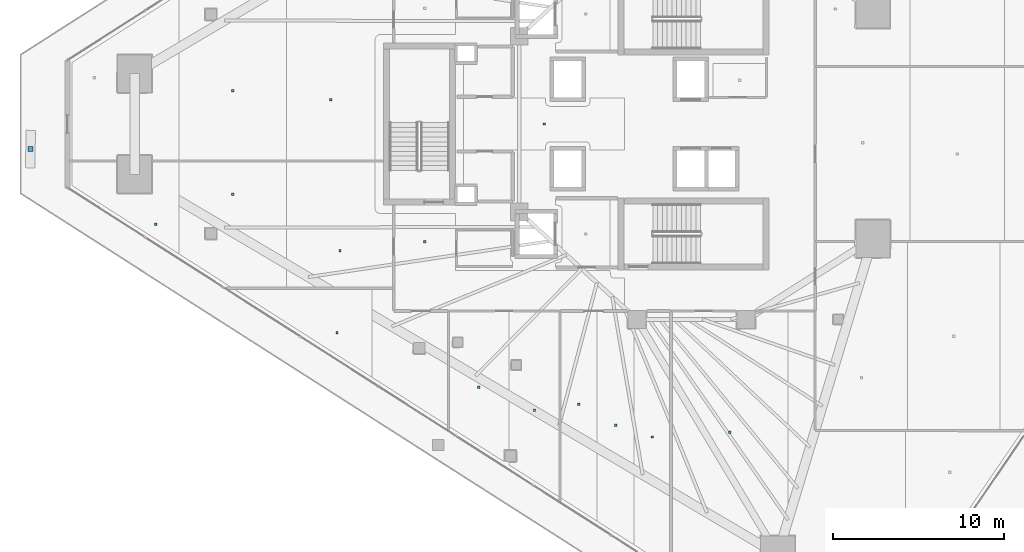
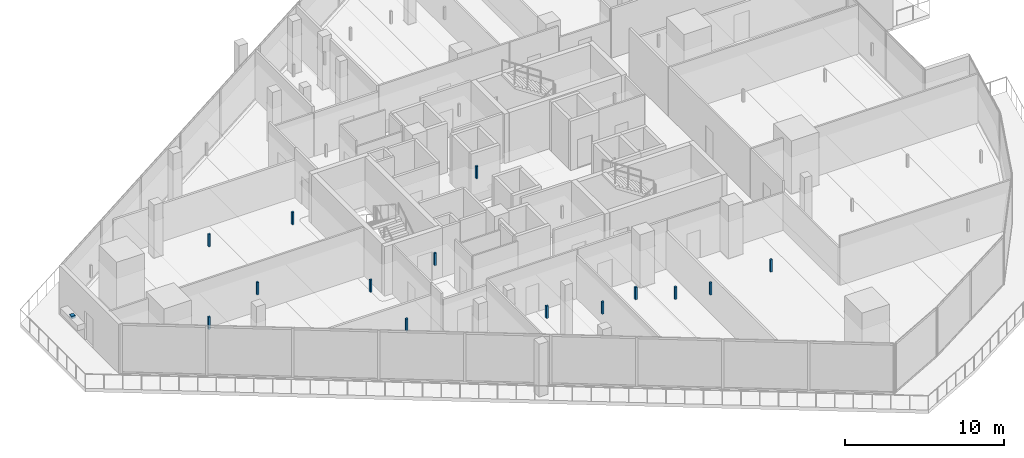
# One storey, part 27 of 38: 15 discrete accessories.
"""IFC4 building model written with IfcOpenShell, lengths in metres."""

from ifc_helpers import new_model, si_unit, direction, frame, origin, origin_2d, place, context, subcontext, project, spatial, rectangle, extrude, material, type_object, element, save


model = new_model("IFC4")

# Units and contexts
model_context = context("Model", 3, precision=1e-05, world=origin(), true_north=direction((0.0, 1.0)))
body_context = subcontext(model_context, "Body", "Model", "MODEL_VIEW")
ifc_project = project(units=[si_unit("LENGTHUNIT", "METRE"), si_unit("AREAUNIT", "SQUARE_METRE"), si_unit("VOLUMEUNIT", "CUBIC_METRE"), si_unit("PLANEANGLEUNIT", "RADIAN"), si_unit("MASSUNIT", "GRAM", prefix="KILO")], contexts=[model_context])

# Site, building, storey
site_placement = place(None, origin())
site = spatial("IfcSite", under=ifc_project, at=site_placement, CompositionType="ELEMENT")
building_placement = place(site_placement, origin())
building = spatial("IfcBuilding", under=site, at=building_placement, Name="Qorvath Tower", CompositionType="ELEMENT")
storey_placement = place(building_placement, frame((0.0, 0.0, 146.25)))
storey = spatial("IfcBuildingStorey", under=building, at=storey_placement, Name="L33", CompositionType="ELEMENT", Elevation=146.25)

# Discrete accessories
ifc_material = material(Name="Galvanised steel bracket", Category="steel")
discrete_accessory_type = type_object("IfcDiscreteAccessoryType", Name="DA-BRACKET", PredefinedType="BRACKET", material=ifc_material)
discrete_accessory_placement = place(storey_placement, frame((-59.15869140625, -1.46630859375, 3.64013671875), z_axis=(0.0, 0.0, 1.0), x_axis=(-0.018501179765, -0.999828838526, 0.0)))
element("IfcDiscreteAccessory", 1, at=discrete_accessory_placement, inside=storey, type_object=discrete_accessory_type, Name="Louvre Wave Support Bracket L33-01", PredefinedType="NOTDEFINED", context=body_context, shape_type="SweptSolid", body=[
    extrude(rectangle(XDim=0.280029296875, YDim=0.280029296875, at=origin_2d()), origin(), (0.0, 0.0, 1.0), 0.199951171875),
])
for number, where, z_axis, x_axis, name in (
    (2, (-36.04150390625, -6.906982421875, 2.85986328125), (0.0, 0.0, 1.0), (1.0, 0.0, 0.0), "Acoustic Ceiling Suspension Hanger T1-L33-008"),
    (3, (-29.04052734375, 0.0, 2.85986328125), (0.0, 0.0, 1.0), (1.0, 0.0, 0.0), "Acoustic Ceiling Suspension Hanger T1-L33-010"),
    (4, (-32.872802734375, -15.42138671875, 2.85986328125), (0.0, 0.0, 1.0), (1.0, 0.0, 0.0), "Acoustic Ceiling Suspension Hanger T1-L33-021"),
    (5, (-29.603759765625, -16.776123046875, 2.85986328125), (0.0, 0.0, 1.0), (1.0, 0.0, 0.0), "Acoustic Ceiling Suspension Hanger T1-L33-022"),
    (6, (-27.00927734375, -16.434326171875, 2.85986328125), (0.0, 0.0, 1.0), (1.0, 0.0, 0.0), "Acoustic Ceiling Suspension Hanger T1-L33-023"),
    (7, (-24.85009765625, -17.66015625, 2.85986328125), (0.0, 0.0, 1.0), (1.0, 0.0, 0.0), "Acoustic Ceiling Suspension Hanger T1-L33-024"),
    (8, (-22.69091796875, -18.347412109375, 2.85986328125), (0.0, 0.0, 1.0), (1.0, 0.0, 0.0), "Acoustic Ceiling Suspension Hanger T1-L33-025"),
    (9, (-18.160888671875, -18.0693359375, 2.85986328125), (0.0, 0.0, 1.0), (1.0, 0.0, 0.0), "Acoustic Ceiling Suspension Hanger T1-L33-026"),
    (10, (-41.18359375, -12.233642578125, 2.85986328125), (0.0, 0.0, 1.0), (1.0, 0.0, 0.0), "Acoustic Ceiling Suspension Hanger T1-L33-038"),
    (11, (-51.8134765625, -5.865234375, 2.85986328125), (0.0, 0.0, 1.0), (1.0, 0.0, 0.0), "Acoustic Ceiling Suspension Hanger T1-L33-040"),
    (12, (-47.296630859375, -4.113037109375, 2.85986328125), (0.0, 0.0, 1.0), (1.0, 0.0, 0.0), "Acoustic Ceiling Suspension Hanger T1-L33-041"),
    (13, (-41.007568359375, -7.42529296875, 2.85986328125), (0.0, 0.0, 1.0), (1.0, 0.0, 0.0), "Acoustic Ceiling Suspension Hanger T1-L33-042"),
    (14, (-47.296630859375, 1.9443359375, 2.85986328125), (0.0, 0.0, 1.0), (1.0, 0.0, 0.0), "Acoustic Ceiling Suspension Hanger T1-L33-044"),
    (15, (-41.551025390625, 1.41943359375, 2.85986328125), (0.0, 0.0, 1.0), (1.0, 0.0, 0.0), "Acoustic Ceiling Suspension Hanger T1-L33-045"),
):
    element("IfcDiscreteAccessory", number, at=place(storey_placement, frame(where, z_axis=z_axis, x_axis=x_axis)), inside=storey, type_object=discrete_accessory_type, Name=name, PredefinedType="NOTDEFINED", context=body_context, shape_type="SweptSolid", body=[
        extrude(rectangle(XDim=0.139892578125, YDim=0.139892578125, at=origin_2d()), origin(), (0.0, 0.0, 1.0), 0.949951171875),
    ])

save(model, "model.ifc")
